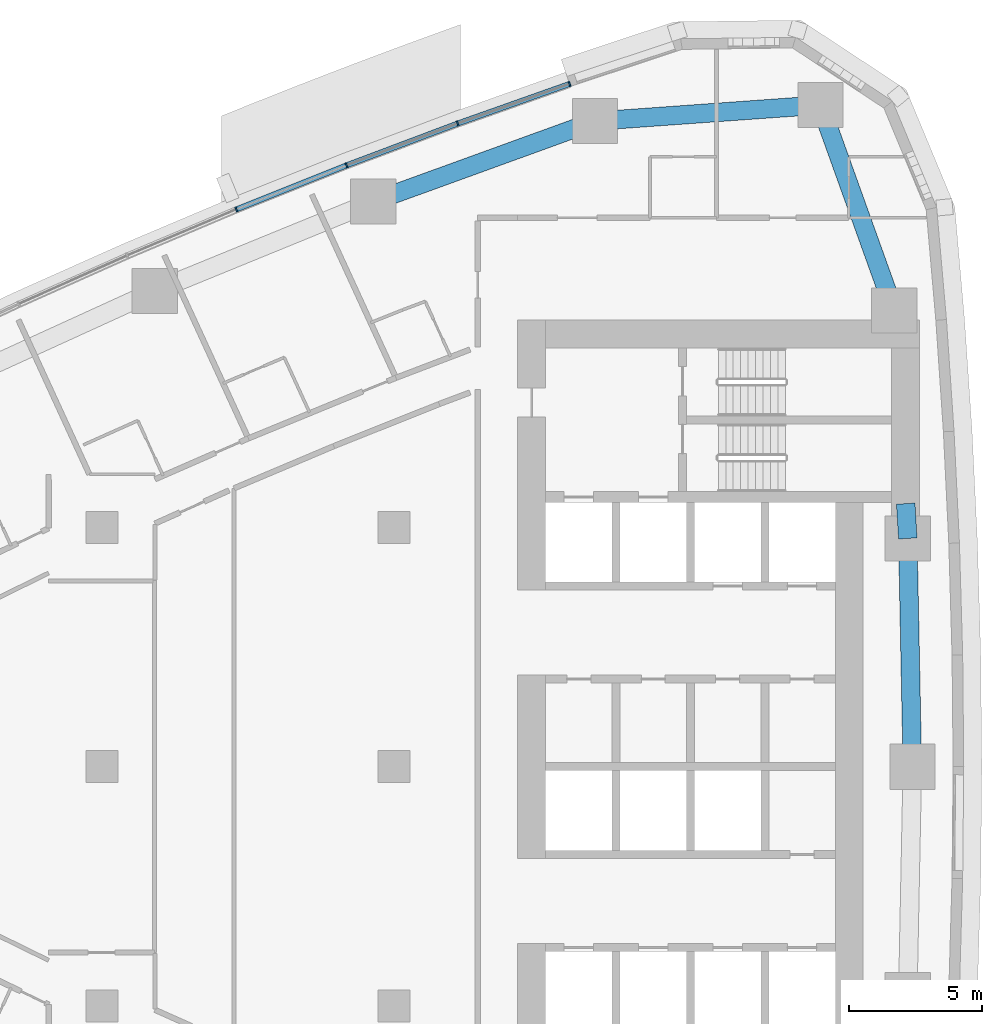
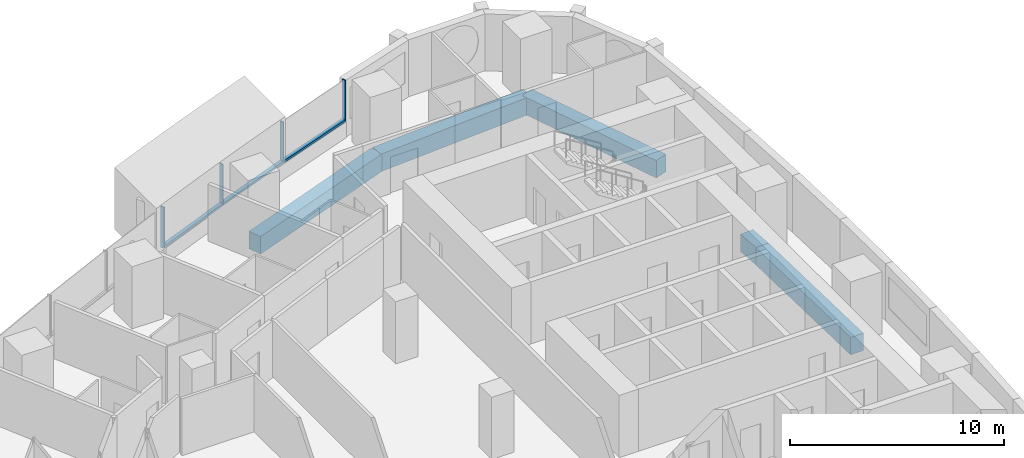
# One storey, part 6 of 17: 7 members, 5 beams, 2 elements without a shape of their own.
"""IFC4 building model written with IfcOpenShell, lengths in metres."""

import ifcopenshell
import ifcopenshell.guid

model = None  # the IFC model being written
_history = None  # IfcOwnerHistory: only IFC2X3 demands one
_inside = {}  # id of a spatial element -> (the spatial element, [elements in it])
_under = {}  # id of a project, library or spatial element -> (it, [spatial elements below it])
_declared = {}  # id of a project -> (the project, [libraries it declares])
_typed = {}  # id of a type object -> (the type object, [elements of that type])
_made_of = {}  # id of a material, layer set ... -> (it, [elements and type objects made of it])


def new_model(schema):
    """Start an empty IFC model of exactly this schema.

    Asked for "IFC4X3", IfcOpenShell would pick the latest addendum, in which some entities
    have other attributes; the version numbers below select the first issue.
    IFC2X3 requires an IfcOwnerHistory on every rooted entity: one is made here for all.
    """
    global model, _history
    if schema == "IFC4X3":
        model = ifcopenshell.file(schema_version=(4, 3, 0, 0))
    else:
        model = ifcopenshell.file(schema=schema)
    _inside.clear()
    _under.clear()
    _declared.clear()
    _typed.clear()
    _made_of.clear()
    _history = None
    if model.schema == "IFC2X3":
        org = make("IfcOrganization", Name="unknown")
        user = make(
            "IfcPersonAndOrganization",
            ThePerson=make("IfcPerson", FamilyName="unknown"),
            TheOrganization=org,
        )
        app = make(
            "IfcApplication",
            ApplicationDeveloper=org,
            Version="unknown",
            ApplicationFullName="unknown",
            ApplicationIdentifier="unknown",
        )
        _history = make(
            "IfcOwnerHistory",
            OwningUser=user,
            OwningApplication=app,
            ChangeAction="ADDED",
            CreationDate=0,
        )
    return model


def make(cls, **values):
    """One entity of the class cls with the attributes given. An attribute that is None is left unset."""
    return model.create_entity(
        cls, **{name: value for name, value in values.items() if value is not None}
    )


def rooted(cls, **values):
    """An entity with a GlobalId (a new one), such as an element, a storey or a relation."""
    return make(cls, GlobalId=ifcopenshell.guid.new(), OwnerHistory=_history, **values)


def si_unit(unit_type, name, prefix=None):
    """IfcSIUnit, for example si_unit("LENGTHUNIT", "METRE", prefix="MILLI")."""
    return make("IfcSIUnit", UnitType=unit_type, Prefix=prefix, Name=name)


def assignment(units):
    """IfcUnitAssignment: the units of a project."""
    return None if units is None else make("IfcUnitAssignment", Units=units)


def point(xyz):
    """IfcCartesianPoint."""
    return None if xyz is None else make("IfcCartesianPoint", Coordinates=xyz)


def direction(xyz):
    """IfcDirection."""
    return None if xyz is None else make("IfcDirection", DirectionRatios=xyz)


def frame(location, z_axis=None, x_axis=None):
    """IfcAxis2Placement3D, a coordinate frame: its origin and axes. An axis left out is left unset."""
    return make(
        "IfcAxis2Placement3D",
        Location=point(location),
        Axis=direction(z_axis),
        RefDirection=direction(x_axis),
    )


def frame_2d(location, x_axis=None):
    """IfcAxis2Placement2D, a coordinate frame in the plane: its origin and x axis."""
    return make(
        "IfcAxis2Placement2D", Location=point(location), RefDirection=direction(x_axis)
    )


def origin():
    """The frame at (0, 0, 0) with its axes left unset."""
    return frame((0.0, 0.0, 0.0))


def origin_2d():
    """The frame at (0, 0) in the plane with its x axis left unset."""
    return frame_2d((0.0, 0.0))


def place(relative_to, where):
    """IfcLocalPlacement: puts the frame where relative to a parent placement (None: the world)."""
    return make(
        "IfcLocalPlacement", PlacementRelTo=relative_to, RelativePlacement=where
    )


def context(
    kind, dimensions, precision=None, world=None, true_north=None, identifier=None
):
    """IfcGeometricRepresentationContext, for example the 3D "Model" context."""
    return make(
        "IfcGeometricRepresentationContext",
        ContextIdentifier=identifier,
        ContextType=kind,
        CoordinateSpaceDimension=dimensions,
        Precision=precision,
        WorldCoordinateSystem=world,
        TrueNorth=true_north,
    )


def subcontext(parent, identifier, kind, view, scale=None):
    """IfcGeometricRepresentationSubContext, for example "Body" below "Model"."""
    return make(
        "IfcGeometricRepresentationSubContext",
        ContextIdentifier=identifier,
        ContextType=kind,
        ParentContext=parent,
        TargetScale=scale,
        TargetView=view,
    )


def project(units=None, contexts=None):
    """IfcProject with its units and contexts."""
    return rooted(
        "IfcProject",
        Name="project",
        RepresentationContexts=contexts,
        UnitsInContext=assignment(units),
    )


def spatial(cls, under=None, at=None, **own):
    """A site, building, storey or space (cls), placed at a placement, below another one or the project."""
    s = rooted(cls, ObjectPlacement=at, **own)
    if under is not None:
        _under.setdefault(under.id(), (under, []))[1].append(s)
    return s


def profile(cls, at=None, kind="AREA", **sizes):
    """A parametric profile (cls). Its sizes go by their IFC names, for example OverallWidth=200.0."""
    return make(cls, ProfileType=kind, Position=at, **sizes)


def rectangle(**sizes):
    """IfcRectangleProfileDef."""
    return profile("IfcRectangleProfileDef", **sizes)


def extrude(swept, where, along, depth):
    """IfcExtrudedAreaSolid: the profile swept, set in the frame where, extruded along a direction by depth."""
    return make(
        "IfcExtrudedAreaSolid",
        SweptArea=swept,
        Position=where,
        ExtrudedDirection=direction(along),
        Depth=depth,
    )


def shape(context_of_items, identifier, shape_type, items):
    """IfcShapeRepresentation: the items that make up one representation, for example the "Body"."""
    return make(
        "IfcShapeRepresentation",
        ContextOfItems=context_of_items,
        RepresentationIdentifier=identifier,
        RepresentationType=shape_type,
        Items=items,
    )


def material(Name=None, Category=None):
    """IfcMaterial."""
    return make("IfcMaterial", Name=Name, Category=Category)


def layer(
    of_material, thickness, ventilated=None, Name=None, Category=None, Priority=None
):
    """IfcMaterialLayer: one layer of a wall or slab, of a material (None: an air gap)."""
    return make(
        "IfcMaterialLayer",
        Material=of_material,
        LayerThickness=thickness,
        IsVentilated=ventilated,
        Name=Name,
        Category=Category,
        Priority=Priority,
    )


def layer_set(layers, Name=None):
    """IfcMaterialLayerSet."""
    return make("IfcMaterialLayerSet", MaterialLayers=layers, LayerSetName=Name)


def material_profile(
    of_material, cross_section, Name=None, Category=None, Priority=None
):
    """IfcMaterialProfile: a cross section and its material."""
    return make(
        "IfcMaterialProfile",
        Name=Name,
        Material=of_material,
        Profile=cross_section,
        Priority=Priority,
        Category=Category,
    )


def profile_set(profiles, Name=None, composite=None):
    """IfcMaterialProfileSet."""
    return make(
        "IfcMaterialProfileSet",
        Name=Name,
        MaterialProfiles=profiles,
        CompositeProfile=composite,
    )


def made_of(thing, what):
    """Note that an element or type object is made of a material, layer set ...; save() writes the relation."""
    if what is not None:
        _made_of.setdefault(what.id(), (what, []))[1].append(thing)
    return thing


def type_object(cls, material=None, **own):
    """A type object (cls), such as IfcWallType, which elements share."""
    return made_of(rooted(cls, **own), material)


def element(
    cls,
    number,
    at=None,
    inside=None,
    cuts=None,
    type_object=None,
    material=None,
    context=None,
    identifier="Body",
    shape_type=None,
    held_by="IfcProductDefinitionShape",
    body=None,
    shapes=None,
    **own,
):
    """One element of the class cls, such as IfcWall. Its Tag is "e" and its number.

    at: its placement. inside: the storey or other place that contains it. cuts: it is an
    opening in that element (IfcRelVoidsElement). A single representation is given by context,
    identifier, shape_type and body (its items); several are given by shapes. held_by: the class
    of the entity that holds the representations. save() writes the other relations.
    """
    e = rooted(cls, Tag="e%d" % number, ObjectPlacement=at, **own)
    if body is not None:
        shapes = [shape(context, identifier, shape_type, body)]
    if shapes is not None:
        e.Representation = make(held_by, Representations=shapes)
    if inside is not None:
        _inside.setdefault(inside.id(), (inside, []))[1].append(e)
    if cuts is not None:
        rooted(
            "IfcRelVoidsElement", RelatingBuildingElement=cuts, RelatedOpeningElement=e
        )
    if type_object is not None:
        _typed.setdefault(type_object.id(), (type_object, []))[1].append(e)
    return made_of(e, material)


def aggregate(whole, parts):
    """IfcRelAggregates: a whole, such as a stair, and the parts it consists of."""
    return rooted("IfcRelAggregates", RelatingObject=whole, RelatedObjects=parts)


def save(model, path):
    """Write the relations noted so far, then the file.

    IfcRelAggregates (storeys below a building ...), IfcRelContainedInSpatialStructure (elements
    in a storey), IfcRelDefinesByType, IfcRelAssociatesMaterial and IfcRelDeclares: one each for
    every whole, place, type object, material and project.
    """
    for whole, parts in _under.values():
        aggregate(whole, parts)
    for where, things in _inside.values():
        rooted(
            "IfcRelContainedInSpatialStructure",
            RelatedElements=things,
            RelatingStructure=where,
        )
    for kind, things in _typed.values():
        rooted("IfcRelDefinesByType", RelatedObjects=things, RelatingType=kind)
    for what, things in _made_of.values():
        rooted("IfcRelAssociatesMaterial", RelatedObjects=things, RelatingMaterial=what)
    for by, libraries in _declared.values():
        rooted("IfcRelDeclares", RelatingContext=by, RelatedDefinitions=libraries)
    model.write(path)


model = new_model("IFC4")

# Units and contexts
model_context = context("Model", 3, precision=1e-05, world=origin(), true_north=direction((0.0, 1.0)))
body_context = subcontext(model_context, "Body", "Model", "MODEL_VIEW")
ifc_project = project(units=[si_unit("LENGTHUNIT", "METRE"), si_unit("AREAUNIT", "SQUARE_METRE"), si_unit("VOLUMEUNIT", "CUBIC_METRE"), si_unit("PLANEANGLEUNIT", "RADIAN"), si_unit("MASSUNIT", "GRAM", prefix="KILO")], contexts=[model_context])

# Site, building, storey
site_placement = place(None, origin())
site = spatial("IfcSite", under=ifc_project, at=site_placement, CompositionType="ELEMENT")
building_placement = place(site_placement, origin())
building = spatial("IfcBuilding", under=site, at=building_placement, Name="Ostrand Prow Hotel Tower", CompositionType="ELEMENT")
storey_placement = place(building_placement, frame((0.0, 0.0, 109.75)))
storey = spatial("IfcBuildingStorey", under=building, at=storey_placement, Name="L26", CompositionType="ELEMENT", Elevation=109.75)

# Beams
ifc_material_1 = material(Name="Concrete C80/95", Category="concrete")
ifc_material_profile_1 = material_profile(ifc_material_1, rectangle(XDim=0.699951171875, YDim=1.0, at=origin_2d()), Name="RC 700x1000")
ifc_profile_set_1 = profile_set([ifc_material_profile_1], Name="Concrete C80/95")
beam_type = type_object("IfcBeamType", Name="Edge beam 700x1000 C80/95", PredefinedType="SPANDREL", material=ifc_profile_set_1)
beam_1_placement = place(storey_placement, frame((64.5, 0.0, -0.800048828125), z_axis=(-0.019922705812, 0.9998015232, 0.0), x_axis=(-0.9998015232, -0.019922705812, 0.0)))
element("IfcBeam", 1, at=beam_1_placement, inside=storey, type_object=beam_type, Name="Edge beam B3-B4", PredefinedType="SPANDREL", context=body_context, shape_type="SweptSolid", body=[
    extrude(rectangle(XDim=0.699951171875, YDim=1.0, at=origin_2d()), origin(), (0.0, 0.0, 1.0), 8.59033203125),
])
beam_2_placement = place(storey_placement, frame((64.328857421875, 8.588623046875, -0.800048828125), z_axis=(-0.059658953766, 0.998218818314, 0.0), x_axis=(-0.998218818314, -0.059658953766, 0.0)))
element("IfcBeam", 2, at=beam_2_placement, inside=storey, type_object=beam_type, Name="Edge beam B4-B5", PredefinedType="SPANDREL", context=body_context, shape_type="SweptSolid", body=[
    extrude(rectangle(XDim=0.699951171875, YDim=1.0, at=origin_2d()), origin(), (0.0, 0.0, 1.0), 1.313720703125),
])
beam_3_placement = place(storey_placement, frame((63.815673828125, 17.16357421875, -0.800048828125), z_axis=(-0.337815484063, 0.941212355809, 0.0), x_axis=(-0.941212355809, -0.337815484063, 0.0)))
element("IfcBeam", 3, at=beam_3_placement, inside=storey, type_object=beam_type, Name="Edge beam B5-NE", PredefinedType="SPANDREL", context=body_context, shape_type="SweptSolid", body=[
    extrude(rectangle(XDim=0.699951171875, YDim=1.0, at=origin_2d()), origin(), (0.0, 0.0, 1.0), 8.21630859375),
])
beam_4_placement = place(storey_placement, frame((61.0400390625, 24.89697265625, -0.800048828125), z_axis=(-0.99747195063, -0.071061295414, 0.0), x_axis=(0.071061295414, -0.99747195063, 0.0)))
element("IfcBeam", 4, at=beam_4_placement, inside=storey, type_object=beam_type, Name="Edge beam NE-N1", PredefinedType="SPANDREL", context=body_context, shape_type="SweptSolid", body=[
    extrude(rectangle(XDim=0.699951171875, YDim=1.0, at=origin_2d()), origin(), (0.0, 0.0, 1.0), 8.499755859375),
])
beam_5_placement = place(storey_placement, frame((52.561767578125, 24.29296875, -0.800048828125), z_axis=(-0.940062739321, -0.341001533927, 0.0), x_axis=(0.341001533927, -0.940062739321, 0.0)))
element("IfcBeam", 5, at=beam_5_placement, inside=storey, type_object=beam_type, Name="Edge beam N1-N2", PredefinedType="SPANDREL", context=body_context, shape_type="SweptSolid", body=[
    extrude(rectangle(XDim=0.699951171875, YDim=1.0, at=origin_2d()), origin(), (0.0, 0.0, 1.0), 8.883544921875),
])

# Curtain wall, members
ifc_material_2 = material(Name="Insulated glass in bronze anodised frame", Category="glass")
ifc_layer = layer(ifc_material_2, 0.199951171875)
ifc_layer_set = layer_set([ifc_layer], Name="Insulated glass in bronze anodised frame")
curtain_wall_type = type_object("IfcCurtainWallType", Name="Strip curtain wall, fritted glass over bronze spandrel", PredefinedType="NOTDEFINED", material=ifc_layer_set)
curtain_wall_1_placement = place(storey_placement, origin())
curtain_wall_1 = element("IfcCurtainWall", 6, at=curtain_wall_1_placement, inside=storey, type_object=curtain_wall_type, Name="CW1 run CWN1", PredefinedType="NOTDEFINED")
ifc_material_3 = material(Name="Bronze anodised aluminium", Category="aluminium")
ifc_material_profile_2 = material_profile(ifc_material_3, rectangle(XDim=0.199951171875, YDim=0.06005859375, at=origin_2d()), Name="Mullion 60x200 bronze anodised aluminium")
ifc_profile_set_2 = profile_set([ifc_material_profile_2], Name="Bronze anodised aluminium")
member_type_1 = type_object("IfcMemberType", Name="Mullion 60x200 bronze anodised aluminium", PredefinedType="MULLION", material=ifc_profile_set_2)
member_1_placement = place(storey_placement, frame((51.601318359375, 25.692138671875, 0.89990234375), z_axis=(0.0, 0.0, 1.0), x_axis=(0.333495894542, -0.942751551748, 0.0)))
member_1 = element("IfcMember", 7, at=member_1_placement, type_object=member_type_1, Name="CW1 mullion 1", PredefinedType="MULLION", context=body_context, shape_type="SweptSolid", body=[
    extrude(rectangle(XDim=0.199951171875, YDim=0.06005859375, at=origin_2d()), origin(), (0.0, 0.0, 1.0), 2.35009765625),
])
member_2_placement = place(storey_placement, frame((47.390869140625, 24.202880859375, 0.89990234375), z_axis=(0.0, 0.0, 1.0), x_axis=(0.35230885193, -0.935883792387, 0.0)))
member_2 = element("IfcMember", 8, at=member_2_placement, type_object=member_type_1, Name="CW1 mullion 2", PredefinedType="MULLION", context=body_context, shape_type="SweptSolid", body=[
    extrude(rectangle(XDim=0.199951171875, YDim=0.06005859375, at=origin_2d()), origin(), (0.0, 0.0, 1.0), 2.35009765625),
])
member_3_placement = place(storey_placement, frame((43.211181640625, 22.62939453125, 0.89990234375), z_axis=(0.0, 0.0, 1.0), x_axis=(0.35230885193, -0.935883792387, 0.0)))
member_3 = element("IfcMember", 9, at=member_3_placement, type_object=member_type_1, Name="CW1 mullion 3", PredefinedType="MULLION", context=body_context, shape_type="SweptSolid", body=[
    extrude(rectangle(XDim=0.199951171875, YDim=0.06005859375, at=origin_2d()), origin(), (0.0, 0.0, 1.0), 2.35009765625),
])

# Curtain wall, member
curtain_wall_2_placement = place(storey_placement, origin())
curtain_wall_2 = element("IfcCurtainWall", 10, at=curtain_wall_2_placement, inside=storey, type_object=curtain_wall_type, Name="CW1 run CWN2", PredefinedType="NOTDEFINED")
member_4_placement = place(storey_placement, frame((39.06396484375, 20.97265625, 0.89990234375), z_axis=(0.0, 0.0, 1.0), x_axis=(0.389506566255, -0.921023688536, 0.0)))
member_4 = element("IfcMember", 11, at=member_4_placement, type_object=member_type_1, Name="CW1 mullion 2", PredefinedType="MULLION", context=body_context, shape_type="SweptSolid", body=[
    extrude(rectangle(XDim=0.199951171875, YDim=0.06005859375, at=origin_2d()), origin(), (0.0, 0.0, 1.0), 2.35009765625),
])

# Member
ifc_material_4 = material(Name="Bronze anodised aluminium", Category="aluminium")
ifc_material_profile_3 = material_profile(ifc_material_4, rectangle(XDim=0.199951171875, YDim=0.1201171875, at=origin_2d()), Name="Transom 120x200 bronze anodised aluminium")
ifc_profile_set_3 = profile_set([ifc_material_profile_3], Name="Bronze anodised aluminium")
member_type_2 = type_object("IfcMemberType", Name="Transom 120x200 bronze anodised aluminium", PredefinedType="USERDEFINED", material=ifc_profile_set_3)
member_5_placement = place(storey_placement, frame((51.572998046875, 25.68212890625, 0.9599609375), z_axis=(-0.942763014139, -0.333463490013, 0.0), x_axis=(0.333463490013, -0.942763014139, 0.0)))
member_5 = element("IfcMember", 12, at=member_5_placement, type_object=member_type_2, Name="CW1 transom 1.1", ObjectType="TRANSOM", PredefinedType="USERDEFINED", context=body_context, shape_type="SweptSolid", body=[
    extrude(rectangle(XDim=0.199951171875, YDim=0.1201171875, at=origin_2d()), origin(), (0.0, 0.0, 1.0), 4.406005859375),
])

member_6_placement = place(storey_placement, frame((47.36279296875, 24.1923828125, 0.9599609375), z_axis=(-0.935868398429, -0.352349742191, 0.0), x_axis=(0.352349742191, -0.935868398429, 0.0)))
member_6 = element("IfcMember", 13, at=member_6_placement, type_object=member_type_2, Name="CW1 transom 2.1", ObjectType="TRANSOM", PredefinedType="USERDEFINED", context=body_context, shape_type="SweptSolid", body=[
    extrude(rectangle(XDim=0.199951171875, YDim=0.1201171875, at=origin_2d()), origin(), (0.0, 0.0, 1.0), 4.406005859375),
])

aggregate(curtain_wall_1, [member_1, member_2, member_3, member_5, member_6])

member_7_placement = place(storey_placement, frame((43.183349609375, 22.618408203125, 0.9599609375), z_axis=(-0.928621833209, -0.371027614724, 0.0), x_axis=(0.371027614724, -0.928621833209, 0.0)))
member_7 = element("IfcMember", 14, at=member_7_placement, type_object=member_type_2, Name="CW1 transom 1.1", ObjectType="TRANSOM", PredefinedType="USERDEFINED", context=body_context, shape_type="SweptSolid", body=[
    extrude(rectangle(XDim=0.199951171875, YDim=0.1201171875, at=origin_2d()), origin(), (0.0, 0.0, 1.0), 4.406005859375),
])

aggregate(curtain_wall_2, [member_4, member_7])

save(model, "model.ifc")
